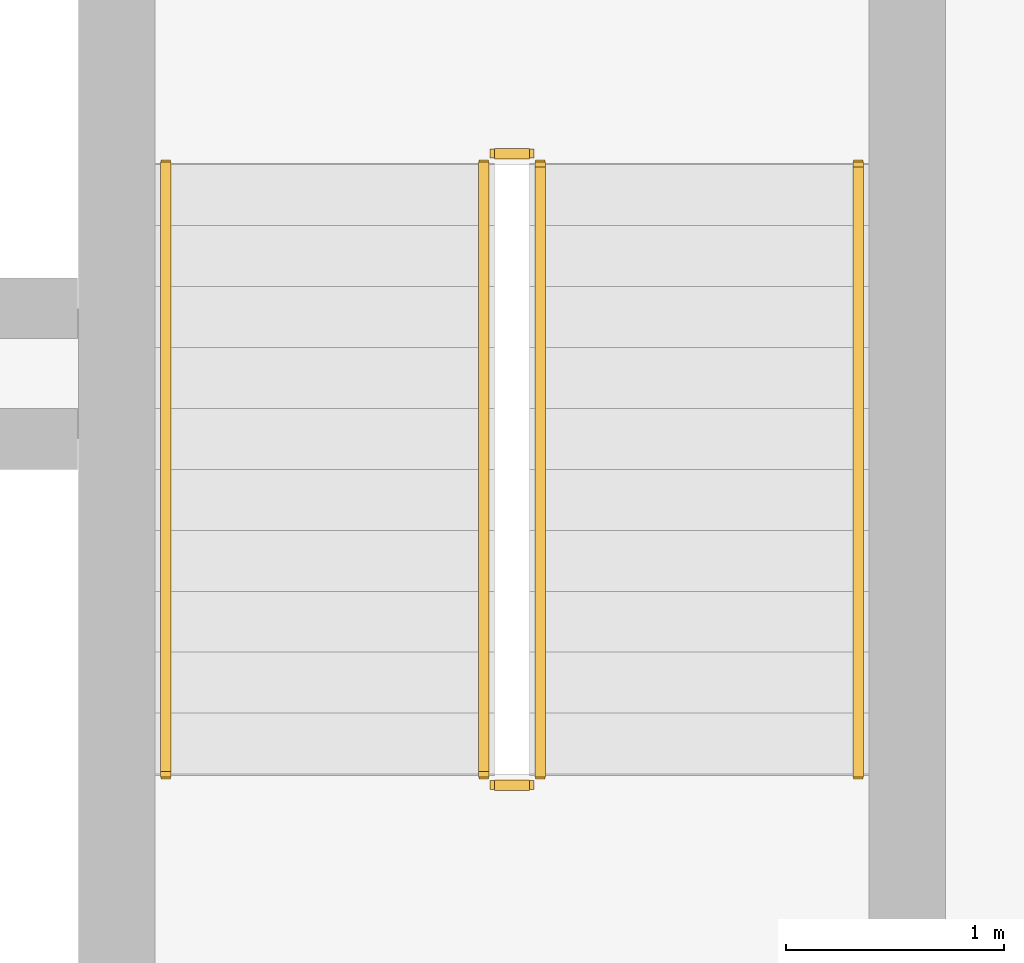
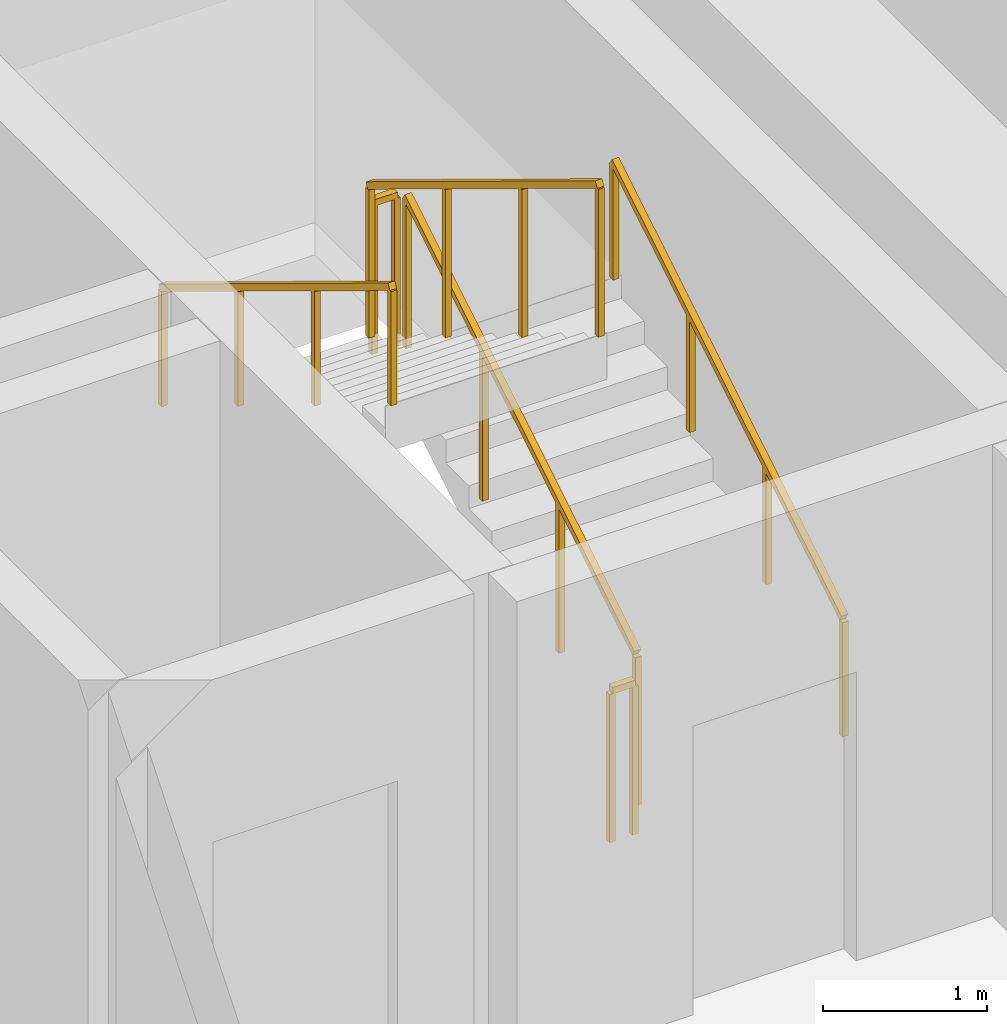
# One storey, part 14 of 14: 6 railings.
"""IFC4 building model written with IfcOpenShell, lengths in metres."""

from ifc_helpers import new_model, si_unit, direction, frame, origin, origin_2d, place, context, subcontext, project, spatial, rectangle, extrude, material, type_object, element, save


model = new_model("IFC4")

# Units and contexts
model_context = context("Model", 3, precision=1e-05, world=origin(), true_north=direction((0.0, 1.0)))
body_context = subcontext(model_context, "Body", "Model", "MODEL_VIEW")
ifc_project = project(units=[si_unit("LENGTHUNIT", "METRE"), si_unit("AREAUNIT", "SQUARE_METRE"), si_unit("VOLUMEUNIT", "CUBIC_METRE"), si_unit("PLANEANGLEUNIT", "RADIAN"), si_unit("MASSUNIT", "GRAM", prefix="KILO")], contexts=[model_context])

# Site, building, storey
site_placement = place(None, origin())
site = spatial("IfcSite", under=ifc_project, at=site_placement, CompositionType="ELEMENT")
building_placement = place(site_placement, origin())
building = spatial("IfcBuilding", under=site, at=building_placement, Name="Kaelvorn Grand Hotel", CompositionType="ELEMENT")
storey_placement = place(building_placement, frame((0.0, 0.0, 89.300048828125)))
storey = spatial("IfcBuildingStorey", under=building, at=storey_placement, Name="L20", CompositionType="ELEMENT", Elevation=89.300048828125)

# Railings
ifc_material = material(Name="Stainless Steel", Category="steel")
railing_type_1 = type_object("IfcRailingType", Name="RL-HANDRAIL-900", PredefinedType="HANDRAIL", material=ifc_material)
railing_1_placement = place(storey_placement, frame((66.550048828125, 41.760009765625, 0.17041015625)))
element("IfcRailing", 1, at=railing_1_placement, inside=storey, type_object=railing_type_1, Name="L20 ST3 stair handrail 1", PredefinedType="HANDRAIL", context=body_context, shape_type="SweptSolid", body=[
    extrude(rectangle(XDim=0.048095703125, YDim=0.048095703125, at=origin_2d()), frame((0.0, 0.0, 0.8759765625), z_axis=(0.0, 0.854169791009, 0.51999420009), x_axis=(-1.0, 0.0, 0.0)), (0.0, 0.0, 1.0), 3.278076171875),
    extrude(rectangle(XDim=0.0419921875, YDim=0.0419921875, at=origin_2d()), origin(), (0.0, 0.0, 1.0), 0.851806640625),
    extrude(rectangle(XDim=0.0419921875, YDim=0.0419921875, at=origin_2d()), frame((0.0, 0.933349609375, 0.568115234375)), (0.0, 0.0, 1.0), 0.851806640625),
    extrude(rectangle(XDim=0.0419921875, YDim=0.0419921875, at=origin_2d()), frame((0.0, 1.86669921875, 1.136474609375)), (0.0, 0.0, 1.0), 0.851806640625),
    extrude(rectangle(XDim=0.0419921875, YDim=0.0419921875, at=origin_2d()), frame((0.0, 2.800048828125, 1.70458984375)), (0.0, 0.0, 1.0), 0.851806640625),
])
railing_2_placement = place(storey_placement, frame((63.3701171875, 44.56005859375, 2.04541015625)))
element("IfcRailing", 2, at=railing_2_placement, inside=storey, type_object=railing_type_1, Name="L20 ST3 stair handrail 2", PredefinedType="HANDRAIL", context=body_context, shape_type="SweptSolid", body=[
    extrude(rectangle(XDim=0.048095703125, YDim=0.048095703125, at=origin_2d()), frame((0.0, 0.0, 0.8759765625), z_axis=(0.0, -0.854169791009, 0.51999420009), x_axis=(1.0, 0.0, 0.0)), (0.0, 0.0, 1.0), 3.278076171875),
    extrude(rectangle(XDim=0.0419921875, YDim=0.0419921875, at=origin_2d()), origin(), (0.0, 0.0, 1.0), 0.851806640625),
    extrude(rectangle(XDim=0.0419921875, YDim=0.0419921875, at=origin_2d()), frame((0.0, -0.933349609375, 0.568115234375)), (0.0, 0.0, 1.0), 0.851806640625),
    extrude(rectangle(XDim=0.0419921875, YDim=0.0419921875, at=origin_2d()), frame((0.0, -1.86669921875, 1.136474609375)), (0.0, 0.0, 1.0), 0.851806640625),
    extrude(rectangle(XDim=0.0419921875, YDim=0.0419921875, at=origin_2d()), frame((0.0, -2.800048828125, 1.70458984375)), (0.0, 0.0, 1.0), 0.851806640625),
])
railing_type_2 = type_object("IfcRailingType", Name="RL-STAIR-GUARD-1150", PredefinedType="BALUSTRADE", material=ifc_material)
railing_3_placement = place(storey_placement, frame((65.090087890625, 41.760009765625, 0.17041015625)))
element("IfcRailing", 3, at=railing_3_placement, inside=storey, type_object=railing_type_2, Name="L20 ST3 stair guard 1", PredefinedType="BALUSTRADE", context=body_context, shape_type="SweptSolid", body=[
    extrude(rectangle(XDim=0.048095703125, YDim=0.048095703125, at=origin_2d()), frame((0.0, 0.0, 1.1259765625), z_axis=(0.0, 0.854169791009, 0.51999420009), x_axis=(-1.0, 0.0, 0.0)), (0.0, 0.0, 1.0), 3.278076171875),
    extrude(rectangle(XDim=0.0419921875, YDim=0.0419921875, at=origin_2d()), origin(), (0.0, 0.0, 1.0), 1.101806640625),
    extrude(rectangle(XDim=0.0419921875, YDim=0.0419921875, at=origin_2d()), frame((0.0, 0.933349609375, 0.568115234375)), (0.0, 0.0, 1.0), 1.101806640625),
    extrude(rectangle(XDim=0.0419921875, YDim=0.0419921875, at=origin_2d()), frame((0.0, 1.86669921875, 1.136474609375)), (0.0, 0.0, 1.0), 1.101806640625),
    extrude(rectangle(XDim=0.0419921875, YDim=0.0419921875, at=origin_2d()), frame((0.0, 2.800048828125, 1.70458984375)), (0.0, 0.0, 1.0), 1.101806640625),
])
railing_4_placement = place(storey_placement, frame((65.0400390625, 44.610107421875, 1.875)))
element("IfcRailing", 4, at=railing_4_placement, inside=storey, type_object=railing_type_2, Name="L20 ST3 stair guard 2", PredefinedType="BALUSTRADE", context=body_context, shape_type="SweptSolid", body=[
    extrude(rectangle(XDim=0.048095703125, YDim=0.048095703125, at=origin_2d()), frame((0.0, 0.0, 1.1259765625), z_axis=(-1.0, 0.0, 0.0), x_axis=(0.0, -1.0, 0.0)), (0.0, 0.0, 1.0), 0.16015625),
    extrude(rectangle(XDim=0.0419921875, YDim=0.0419921875, at=origin_2d()), origin(), (0.0, 0.0, 1.0), 1.101806640625),
    extrude(rectangle(XDim=0.0419921875, YDim=0.0419921875, at=origin_2d()), frame((-0.16015625, 0.0, 0.0)), (0.0, 0.0, 1.0), 1.101806640625),
])
railing_5_placement = place(storey_placement, frame((64.830078125, 44.56005859375, 2.04541015625)))
element("IfcRailing", 5, at=railing_5_placement, inside=storey, type_object=railing_type_2, Name="L20 ST3 stair guard 3", PredefinedType="BALUSTRADE", context=body_context, shape_type="SweptSolid", body=[
    extrude(rectangle(XDim=0.048095703125, YDim=0.048095703125, at=origin_2d()), frame((0.0, 0.0, 1.1259765625), z_axis=(0.0, -0.854169791009, 0.51999420009), x_axis=(1.0, 0.0, 0.0)), (0.0, 0.0, 1.0), 3.278076171875),
    extrude(rectangle(XDim=0.0419921875, YDim=0.0419921875, at=origin_2d()), origin(), (0.0, 0.0, 1.0), 1.101806640625),
    extrude(rectangle(XDim=0.0419921875, YDim=0.0419921875, at=origin_2d()), frame((0.0, -0.933349609375, 0.568115234375)), (0.0, 0.0, 1.0), 1.101806640625),
    extrude(rectangle(XDim=0.0419921875, YDim=0.0419921875, at=origin_2d()), frame((0.0, -1.86669921875, 1.136474609375)), (0.0, 0.0, 1.0), 1.101806640625),
    extrude(rectangle(XDim=0.0419921875, YDim=0.0419921875, at=origin_2d()), frame((0.0, -2.800048828125, 1.70458984375)), (0.0, 0.0, 1.0), 1.101806640625),
])
railing_6_placement = place(storey_placement, frame((65.0400390625, 41.7099609375, 0.0)))
element("IfcRailing", 6, at=railing_6_placement, inside=storey, type_object=railing_type_2, Name="L20 ST3 stair guard 4", PredefinedType="BALUSTRADE", context=body_context, shape_type="SweptSolid", body=[
    extrude(rectangle(XDim=0.048095703125, YDim=0.048095703125, at=origin_2d()), frame((0.0, 0.0, 1.1259765625), z_axis=(-1.0, 0.0, 0.0), x_axis=(0.0, -1.0, 0.0)), (0.0, 0.0, 1.0), 0.16015625),
    extrude(rectangle(XDim=0.0419921875, YDim=0.0419921875, at=origin_2d()), origin(), (0.0, 0.0, 1.0), 1.101806640625),
    extrude(rectangle(XDim=0.0419921875, YDim=0.0419921875, at=origin_2d()), frame((-0.16015625, 0.0, 0.0)), (0.0, 0.0, 1.0), 1.101806640625),
])

save(model, "model.ifc")
